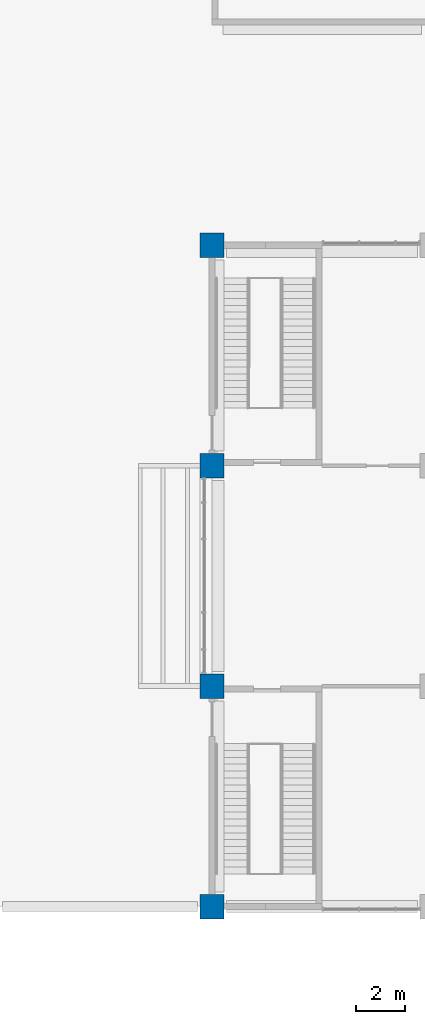
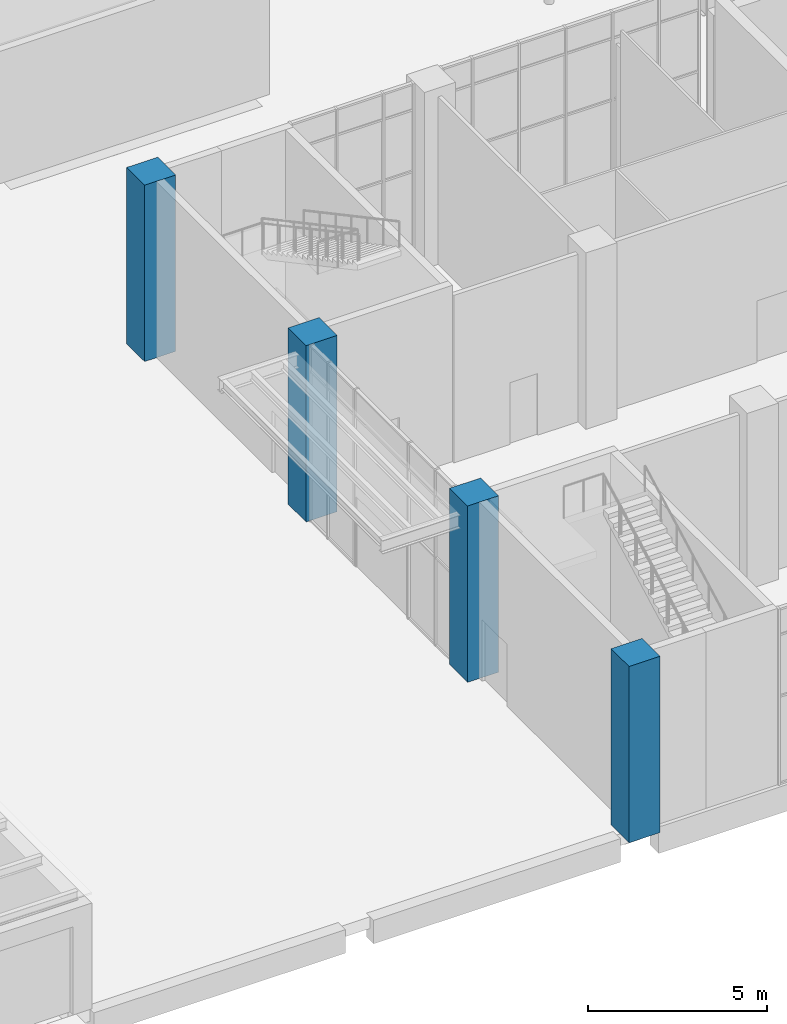
# One storey, part 4 of 86: 4 columns.
"""IFC4 building model written with IfcOpenShell, lengths in metres."""

from ifc_helpers import new_model, si_unit, direction, frame, origin, origin_2d, place, context, subcontext, project, spatial, rectangle, extrude, material, material_profile, profile_set, type_object, element, save


model = new_model("IFC4")

# Units and contexts
model_context = context("Model", 3, precision=1e-05, world=origin(), true_north=direction((0.0, 1.0)))
body_context = subcontext(model_context, "Body", "Model", "MODEL_VIEW")
ifc_project = project(units=[si_unit("LENGTHUNIT", "METRE"), si_unit("AREAUNIT", "SQUARE_METRE"), si_unit("VOLUMEUNIT", "CUBIC_METRE"), si_unit("PLANEANGLEUNIT", "RADIAN"), si_unit("MASSUNIT", "GRAM", prefix="KILO")], contexts=[model_context])

# Site, building, storey
site_placement = place(None, origin())
site = spatial("IfcSite", under=ifc_project, at=site_placement, CompositionType="ELEMENT")
building_placement = place(site_placement, origin())
building = spatial("IfcBuilding", under=site, at=building_placement, Name="Guidao Yard Department Store", CompositionType="ELEMENT")
storey_placement = place(building_placement, origin())
storey = spatial("IfcBuildingStorey", under=building, at=storey_placement, Name="L00", CompositionType="ELEMENT", Elevation=0.0)

# Columns
ifc_material = material(Name="Concrete C60", Category="concrete")
ifc_material_profile = material_profile(ifc_material, rectangle(XDim=1.0, YDim=1.0, at=origin_2d()), Name="COL 1000x1000")
ifc_profile_set = profile_set([ifc_material_profile], Name="Concrete C60")
column_type = type_object("IfcColumnType", Name="Column 1000x1000 C60", PredefinedType="COLUMN", material=ifc_profile_set)
for number, where, z_axis, x_axis, name in (
    (1, (126.0, 0.0, 0.0), (0.0, 0.0, 1.0), (1.0, 0.0, 0.0), "Column 15/A L00"),
    (2, (126.0, 9.0, 0.0), (0.0, 0.0, 1.0), (1.0, 0.0, 0.0), "Column 15/B L00"),
    (3, (126.0, 18.0, 0.0), (0.0, 0.0, 1.0), (1.0, 0.0, 0.0), "Column 15/C L00"),
    (4, (126.0, 27.0, 0.0), (0.0, 0.0, 1.0), (1.0, 0.0, 0.0), "Column 15/D L00"),
):
    element("IfcColumn", number, at=place(storey_placement, frame(where, z_axis=z_axis, x_axis=x_axis)), inside=storey, type_object=column_type, Name=name, PredefinedType="COLUMN", context=body_context, shape_type="SweptSolid", body=[
        extrude(rectangle(XDim=1.0, YDim=1.0, at=origin_2d()), origin(), (0.0, 0.0, 1.0), 6.0),
    ])

save(model, "model.ifc")
